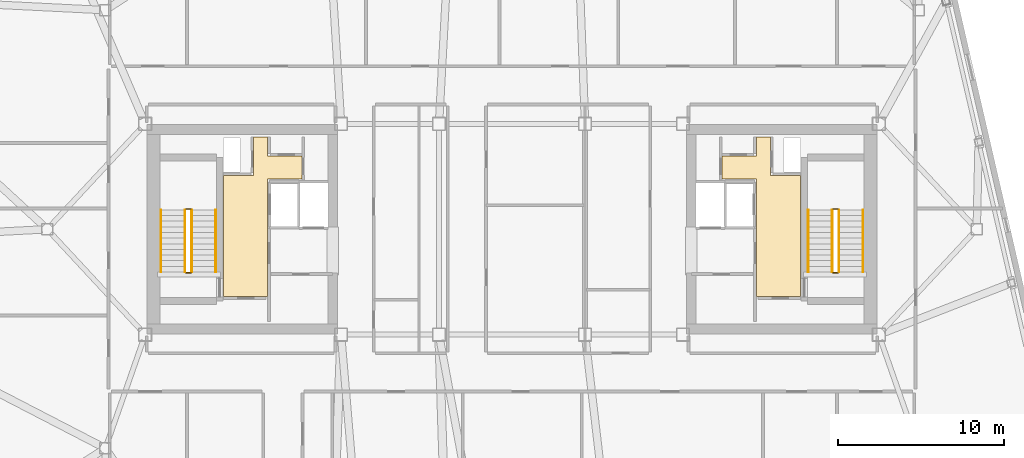
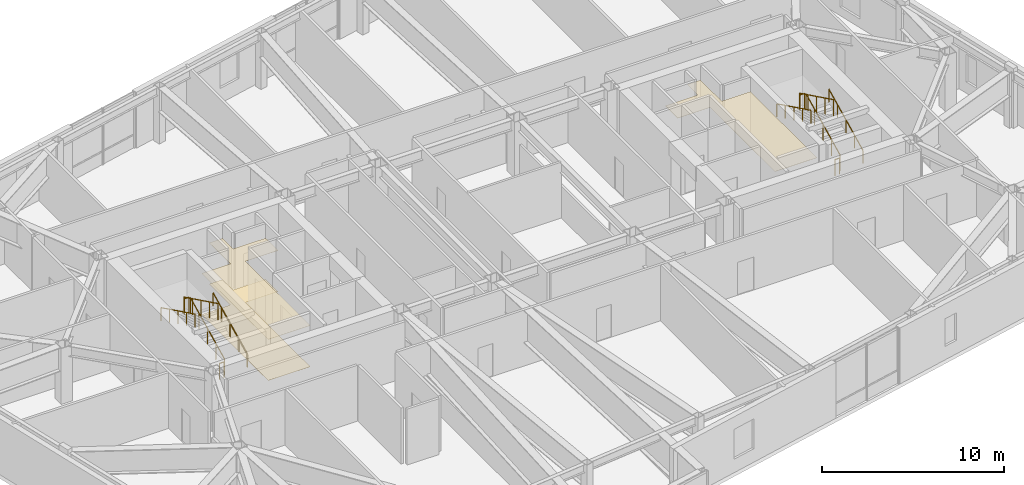
# One storey, part 23 of 23: 12 railings, 3 coverings.
"""IFC4 building model written with IfcOpenShell, lengths in metres."""

from ifc_helpers import new_model, si_unit, direction, frame, origin, origin_2d, place, context, subcontext, project, spatial, polyline, rectangle, outline, extrude, material, layer, layer_set, type_object, element, save


model = new_model("IFC4")

# Units and contexts
model_context = context("Model", 3, precision=1e-05, world=origin(), true_north=direction((0.0, 1.0)))
body_context = subcontext(model_context, "Body", "Model", "MODEL_VIEW")
ifc_project = project(units=[si_unit("LENGTHUNIT", "METRE"), si_unit("AREAUNIT", "SQUARE_METRE"), si_unit("VOLUMEUNIT", "CUBIC_METRE"), si_unit("PLANEANGLEUNIT", "RADIAN"), si_unit("MASSUNIT", "GRAM", prefix="KILO")], contexts=[model_context])

# Site, building, storey
site_placement = place(None, origin())
site = spatial("IfcSite", under=ifc_project, at=site_placement, CompositionType="ELEMENT")
building_placement = place(site_placement, origin())
building = spatial("IfcBuilding", under=site, at=building_placement, Name="Tavrogorsk Clinical Tower", CompositionType="ELEMENT")
storey_placement = place(building_placement, frame((0.0, 0.0, 277.0)))
storey = spatial("IfcBuildingStorey", under=building, at=storey_placement, Name="L64", CompositionType="ELEMENT", Elevation=277.0)

# Coverings
ifc_material_1 = material(Name="Antibacterial micro-perforated aluminium ceiling", Category="aluminium")
ifc_layer_1 = layer(ifc_material_1, 0.014892578125)
ifc_layer_set_1 = layer_set([ifc_layer_1], Name="Antibacterial micro-perforated aluminium ceiling")
covering_type_1 = type_object("IfcCoveringType", Name="ClinicalCeiling_15", PredefinedType="CEILING", material=ifc_layer_set_1)
covering_1_placement = place(storey_placement, frame((0.0, 0.0, 2.75)))
element("IfcCovering", 1, at=covering_1_placement, inside=storey, type_object=covering_type_1, Name="Core West Firefighting Lift Lobby Acoustic Ceiling", PredefinedType="CEILING", context=body_context, shape_type="SweptSolid", body=[
    extrude(outline(polyline([(-17.3798828125, -4.06005859375), (-17.3798828125, 3.239990234375), (-15.56005859375, 3.239990234375), (-15.56005859375, 5.56005859375), (-14.719970703125, 5.56005859375), (-14.719970703125, 4.39990234375), (-12.659912109375, 4.39990234375), (-12.659912109375, 3.0400390625), (-14.719970703125, 3.0400390625), (-14.719970703125, -4.06005859375), (-17.3798828125, -4.06005859375)])), origin(), (0.0, 0.0, 1.0), 0.014892578125),
])
covering_2_placement = place(storey_placement, frame((0.0, 0.0, 2.75)))
element("IfcCovering", 2, at=covering_2_placement, inside=storey, type_object=covering_type_1, Name="Core East Firefighting Lift Lobby Acoustic Ceiling", PredefinedType="CEILING", context=body_context, shape_type="SweptSolid", body=[
    extrude(outline(polyline([(14.719970703125, 3.0400390625), (12.659912109375, 3.0400390625), (12.659912109375, 4.39990234375), (14.719970703125, 4.39990234375), (14.719970703125, 5.56005859375), (15.56005859375, 5.56005859375), (15.56005859375, 3.239990234375), (17.3798828125, 3.239990234375), (17.3798828125, -4.06005859375), (14.719970703125, -4.06005859375), (14.719970703125, 3.0400390625)])), origin(), (0.0, 0.0, 1.0), 0.014892578125),
])
ifc_material_2 = material(Name="Homogeneous medical conductive PVC flooring")
ifc_layer_2 = layer(ifc_material_2, 0.008056640625)
ifc_layer_set_2 = layer_set([ifc_layer_2], Name="Homogeneous medical conductive PVC flooring")
covering_type_2 = type_object("IfcCoveringType", Name="ResilientVinylFloor_8", PredefinedType="FLOORING", material=ifc_layer_set_2)
covering_3_placement = place(storey_placement, origin())
element("IfcCovering", 3, at=covering_3_placement, inside=storey, type_object=covering_type_2, Name="Core West Firefighting Lift Lobby Conductive Vinyl Flooring", PredefinedType="FLOORING", context=body_context, shape_type="SweptSolid", body=[
    extrude(outline(polyline([(-17.3798828125, -4.06005859375), (-17.3798828125, 3.239990234375), (-15.56005859375, 3.239990234375), (-15.56005859375, 5.56005859375), (-14.719970703125, 5.56005859375), (-14.719970703125, 4.39990234375), (-12.659912109375, 4.39990234375), (-12.659912109375, 3.0400390625), (-14.719970703125, 3.0400390625), (-14.719970703125, -4.06005859375), (-17.3798828125, -4.06005859375)])), origin(), (0.0, 0.0, 1.0), 0.008056640625),
])

# Railings
ifc_material_3 = material(Name="Galvanised steel S355 safety stairwell guard", Category="steel")
ifc_layer_3 = layer(ifc_material_3, 0.06005859375)
ifc_layer_set_3 = layer_set([ifc_layer_3], Name="Galvanised steel S355 safety stairwell guard")
railing_type_1 = type_object("IfcRailingType", Name="StairGuard_1150", PredefinedType="GUARDRAIL", material=ifc_layer_set_3)
railing_1_placement = place(storey_placement, frame((-19.300048828125, -2.574951171875, 0.166748046875)))
element("IfcRailing", 4, at=railing_1_placement, inside=storey, type_object=railing_type_1, Name="L64 ST-W stair guard 1", PredefinedType="GUARDRAIL", context=body_context, shape_type="SweptSolid", body=[
    extrude(rectangle(XDim=0.048095703125, YDim=0.048095703125, at=origin_2d()), frame((0.0, 0.0, 1.076171875), z_axis=(0.0, 0.897927990467, 0.440142390523), x_axis=(-1.0, 0.0, 0.0)), (0.0, 0.0, 1.0), 4.1650390625),
    extrude(rectangle(XDim=0.0419921875, YDim=0.0419921875, at=origin_2d()), origin(), (0.0, 0.0, 1.0), 1.052001953125),
    extrude(rectangle(XDim=0.0419921875, YDim=0.0419921875, at=origin_2d()), frame((0.0, 0.93505859375, 0.458251953125)), (0.0, 0.0, 1.0), 1.052001953125),
    extrude(rectangle(XDim=0.0419921875, YDim=0.0419921875, at=origin_2d()), frame((0.0, 1.8701171875, 0.91650390625)), (0.0, 0.0, 1.0), 1.052001953125),
    extrude(rectangle(XDim=0.0419921875, YDim=0.0419921875, at=origin_2d()), frame((0.0, 2.804931640625, 1.375)), (0.0, 0.0, 1.0), 1.052001953125),
    extrude(rectangle(XDim=0.0419921875, YDim=0.0419921875, at=origin_2d()), frame((0.0, 3.739990234375, 1.833251953125)), (0.0, 0.0, 1.0), 1.052001953125),
])
railing_2_placement = place(storey_placement, frame((-19.35009765625, 1.215087890625, 2.0)))
element("IfcRailing", 5, at=railing_2_placement, inside=storey, type_object=railing_type_1, Name="L64 ST-W stair guard 2", PredefinedType="GUARDRAIL", context=body_context, shape_type="SweptSolid", body=[
    extrude(rectangle(XDim=0.048095703125, YDim=0.048095703125, at=origin_2d()), frame((0.0, 0.0, 1.076171875), z_axis=(-1.0, 0.0, 0.0), x_axis=(0.0, -1.0, 0.0)), (0.0, 0.0, 1.0), 0.2998046875),
    extrude(rectangle(XDim=0.0419921875, YDim=0.0419921875, at=origin_2d()), origin(), (0.0, 0.0, 1.0), 1.052001953125),
    extrude(rectangle(XDim=0.0419921875, YDim=0.0419921875, at=origin_2d()), frame((-0.2998046875, 0.0, 0.0)), (0.0, 0.0, 1.0), 1.052001953125),
])
railing_3_placement = place(storey_placement, frame((-19.699951171875, 1.1650390625, 2.166748046875)))
element("IfcRailing", 6, at=railing_3_placement, inside=storey, type_object=railing_type_1, Name="L64 ST-W stair guard 3", PredefinedType="GUARDRAIL", context=body_context, shape_type="SweptSolid", body=[
    extrude(rectangle(XDim=0.048095703125, YDim=0.048095703125, at=origin_2d()), frame((0.0, 0.0, 1.076171875), z_axis=(0.0, -0.897927990467, 0.440142390523), x_axis=(1.0, 0.0, 0.0)), (0.0, 0.0, 1.0), 4.1650390625),
    extrude(rectangle(XDim=0.0419921875, YDim=0.0419921875, at=origin_2d()), origin(), (0.0, 0.0, 1.0), 1.052001953125),
    extrude(rectangle(XDim=0.0419921875, YDim=0.0419921875, at=origin_2d()), frame((0.0, -0.93505859375, 0.458251953125)), (0.0, 0.0, 1.0), 1.052001953125),
    extrude(rectangle(XDim=0.0419921875, YDim=0.0419921875, at=origin_2d()), frame((0.0, -1.8701171875, 0.91650390625)), (0.0, 0.0, 1.0), 1.052001953125),
    extrude(rectangle(XDim=0.0419921875, YDim=0.0419921875, at=origin_2d()), frame((0.0, -2.804931640625, 1.375)), (0.0, 0.0, 1.0), 1.052001953125),
    extrude(rectangle(XDim=0.0419921875, YDim=0.0419921875, at=origin_2d()), frame((0.0, -3.739990234375, 1.833251953125)), (0.0, 0.0, 1.0), 1.052001953125),
])
railing_4_placement = place(storey_placement, frame((-19.35009765625, -2.625, 0.0)))
element("IfcRailing", 7, at=railing_4_placement, inside=storey, type_object=railing_type_1, Name="L64 ST-W stair guard 4", PredefinedType="GUARDRAIL", context=body_context, shape_type="SweptSolid", body=[
    extrude(rectangle(XDim=0.048095703125, YDim=0.048095703125, at=origin_2d()), frame((0.0, 0.0, 1.076171875), z_axis=(-1.0, 0.0, 0.0), x_axis=(0.0, -1.0, 0.0)), (0.0, 0.0, 1.0), 0.2998046875),
    extrude(rectangle(XDim=0.0419921875, YDim=0.0419921875, at=origin_2d()), origin(), (0.0, 0.0, 1.0), 1.052001953125),
    extrude(rectangle(XDim=0.0419921875, YDim=0.0419921875, at=origin_2d()), frame((-0.2998046875, 0.0, 0.0)), (0.0, 0.0, 1.0), 1.052001953125),
])
railing_5_placement = place(storey_placement, frame((19.699951171875, -2.574951171875, 0.166748046875)))
element("IfcRailing", 8, at=railing_5_placement, inside=storey, type_object=railing_type_1, Name="L64 ST-E stair guard 1", PredefinedType="GUARDRAIL", context=body_context, shape_type="SweptSolid", body=[
    extrude(rectangle(XDim=0.048095703125, YDim=0.048095703125, at=origin_2d()), frame((0.0, 0.0, 1.076171875), z_axis=(0.0, 0.897927990467, 0.440142390523), x_axis=(-1.0, 0.0, 0.0)), (0.0, 0.0, 1.0), 4.1650390625),
    extrude(rectangle(XDim=0.0419921875, YDim=0.0419921875, at=origin_2d()), origin(), (0.0, 0.0, 1.0), 1.052001953125),
    extrude(rectangle(XDim=0.0419921875, YDim=0.0419921875, at=origin_2d()), frame((0.0, 0.93505859375, 0.458251953125)), (0.0, 0.0, 1.0), 1.052001953125),
    extrude(rectangle(XDim=0.0419921875, YDim=0.0419921875, at=origin_2d()), frame((0.0, 1.8701171875, 0.91650390625)), (0.0, 0.0, 1.0), 1.052001953125),
    extrude(rectangle(XDim=0.0419921875, YDim=0.0419921875, at=origin_2d()), frame((0.0, 2.804931640625, 1.375)), (0.0, 0.0, 1.0), 1.052001953125),
    extrude(rectangle(XDim=0.0419921875, YDim=0.0419921875, at=origin_2d()), frame((0.0, 3.739990234375, 1.833251953125)), (0.0, 0.0, 1.0), 1.052001953125),
])
railing_6_placement = place(storey_placement, frame((19.64990234375, 1.215087890625, 2.0)))
element("IfcRailing", 9, at=railing_6_placement, inside=storey, type_object=railing_type_1, Name="L64 ST-E stair guard 2", PredefinedType="GUARDRAIL", context=body_context, shape_type="SweptSolid", body=[
    extrude(rectangle(XDim=0.048095703125, YDim=0.048095703125, at=origin_2d()), frame((0.0, 0.0, 1.076171875), z_axis=(-1.0, 0.0, 0.0), x_axis=(0.0, -1.0, 0.0)), (0.0, 0.0, 1.0), 0.2998046875),
    extrude(rectangle(XDim=0.0419921875, YDim=0.0419921875, at=origin_2d()), origin(), (0.0, 0.0, 1.0), 1.052001953125),
    extrude(rectangle(XDim=0.0419921875, YDim=0.0419921875, at=origin_2d()), frame((-0.2998046875, 0.0, 0.0)), (0.0, 0.0, 1.0), 1.052001953125),
])
railing_7_placement = place(storey_placement, frame((19.300048828125, 1.1650390625, 2.166748046875)))
element("IfcRailing", 10, at=railing_7_placement, inside=storey, type_object=railing_type_1, Name="L64 ST-E stair guard 3", PredefinedType="GUARDRAIL", context=body_context, shape_type="SweptSolid", body=[
    extrude(rectangle(XDim=0.048095703125, YDim=0.048095703125, at=origin_2d()), frame((0.0, 0.0, 1.076171875), z_axis=(0.0, -0.897927990467, 0.440142390523), x_axis=(1.0, 0.0, 0.0)), (0.0, 0.0, 1.0), 4.1650390625),
    extrude(rectangle(XDim=0.0419921875, YDim=0.0419921875, at=origin_2d()), origin(), (0.0, 0.0, 1.0), 1.052001953125),
    extrude(rectangle(XDim=0.0419921875, YDim=0.0419921875, at=origin_2d()), frame((0.0, -0.93505859375, 0.458251953125)), (0.0, 0.0, 1.0), 1.052001953125),
    extrude(rectangle(XDim=0.0419921875, YDim=0.0419921875, at=origin_2d()), frame((0.0, -1.8701171875, 0.91650390625)), (0.0, 0.0, 1.0), 1.052001953125),
    extrude(rectangle(XDim=0.0419921875, YDim=0.0419921875, at=origin_2d()), frame((0.0, -2.804931640625, 1.375)), (0.0, 0.0, 1.0), 1.052001953125),
    extrude(rectangle(XDim=0.0419921875, YDim=0.0419921875, at=origin_2d()), frame((0.0, -3.739990234375, 1.833251953125)), (0.0, 0.0, 1.0), 1.052001953125),
])
railing_8_placement = place(storey_placement, frame((19.64990234375, -2.625, 0.0)))
element("IfcRailing", 11, at=railing_8_placement, inside=storey, type_object=railing_type_1, Name="L64 ST-E stair guard 4", PredefinedType="GUARDRAIL", context=body_context, shape_type="SweptSolid", body=[
    extrude(rectangle(XDim=0.048095703125, YDim=0.048095703125, at=origin_2d()), frame((0.0, 0.0, 1.076171875), z_axis=(-1.0, 0.0, 0.0), x_axis=(0.0, -1.0, 0.0)), (0.0, 0.0, 1.0), 0.2998046875),
    extrude(rectangle(XDim=0.0419921875, YDim=0.0419921875, at=origin_2d()), origin(), (0.0, 0.0, 1.0), 1.052001953125),
    extrude(rectangle(XDim=0.0419921875, YDim=0.0419921875, at=origin_2d()), frame((-0.2998046875, 0.0, 0.0)), (0.0, 0.0, 1.0), 1.052001953125),
])
ifc_material_4 = material(Name="Stainless steel AISI 304 tubular handrail", Category="steel")
ifc_layer_4 = layer(ifc_material_4, 0.050048828125)
ifc_layer_set_4 = layer_set([ifc_layer_4], Name="Stainless steel AISI 304 tubular handrail")
railing_type_2 = type_object("IfcRailingType", Name="StairHandrail_920", PredefinedType="HANDRAIL", material=ifc_layer_set_4)
railing_9_placement = place(storey_placement, frame((-17.85009765625, -2.574951171875, 0.166748046875)))
element("IfcRailing", 12, at=railing_9_placement, inside=storey, type_object=railing_type_2, Name="L64 ST-W stair handrail 1", PredefinedType="HANDRAIL", context=body_context, shape_type="SweptSolid", body=[
    extrude(rectangle(XDim=0.048095703125, YDim=0.048095703125, at=origin_2d()), frame((0.0, 0.0, 0.8759765625), z_axis=(0.0, 0.897927990467, 0.440142390523), x_axis=(-1.0, 0.0, 0.0)), (0.0, 0.0, 1.0), 4.1650390625),
    extrude(rectangle(XDim=0.0419921875, YDim=0.0419921875, at=origin_2d()), origin(), (0.0, 0.0, 1.0), 0.851806640625),
    extrude(rectangle(XDim=0.0419921875, YDim=0.0419921875, at=origin_2d()), frame((0.0, 0.93505859375, 0.458251953125)), (0.0, 0.0, 1.0), 0.851806640625),
    extrude(rectangle(XDim=0.0419921875, YDim=0.0419921875, at=origin_2d()), frame((0.0, 1.8701171875, 0.91650390625)), (0.0, 0.0, 1.0), 0.851806640625),
    extrude(rectangle(XDim=0.0419921875, YDim=0.0419921875, at=origin_2d()), frame((0.0, 2.804931640625, 1.375)), (0.0, 0.0, 1.0), 0.851806640625),
    extrude(rectangle(XDim=0.0419921875, YDim=0.0419921875, at=origin_2d()), frame((0.0, 3.739990234375, 1.833251953125)), (0.0, 0.0, 1.0), 0.851806640625),
])
railing_10_placement = place(storey_placement, frame((-21.14990234375, 1.1650390625, 2.166748046875)))
element("IfcRailing", 13, at=railing_10_placement, inside=storey, type_object=railing_type_2, Name="L64 ST-W stair handrail 2", PredefinedType="HANDRAIL", context=body_context, shape_type="SweptSolid", body=[
    extrude(rectangle(XDim=0.048095703125, YDim=0.048095703125, at=origin_2d()), frame((0.0, 0.0, 0.8759765625), z_axis=(0.0, -0.897927990467, 0.440142390523), x_axis=(1.0, 0.0, 0.0)), (0.0, 0.0, 1.0), 4.1650390625),
    extrude(rectangle(XDim=0.0419921875, YDim=0.0419921875, at=origin_2d()), origin(), (0.0, 0.0, 1.0), 0.851806640625),
    extrude(rectangle(XDim=0.0419921875, YDim=0.0419921875, at=origin_2d()), frame((0.0, -0.93505859375, 0.458251953125)), (0.0, 0.0, 1.0), 0.851806640625),
    extrude(rectangle(XDim=0.0419921875, YDim=0.0419921875, at=origin_2d()), frame((0.0, -1.8701171875, 0.91650390625)), (0.0, 0.0, 1.0), 0.851806640625),
    extrude(rectangle(XDim=0.0419921875, YDim=0.0419921875, at=origin_2d()), frame((0.0, -2.804931640625, 1.375)), (0.0, 0.0, 1.0), 0.851806640625),
    extrude(rectangle(XDim=0.0419921875, YDim=0.0419921875, at=origin_2d()), frame((0.0, -3.739990234375, 1.833251953125)), (0.0, 0.0, 1.0), 0.851806640625),
])
railing_11_placement = place(storey_placement, frame((21.14990234375, -2.574951171875, 0.166748046875)))
element("IfcRailing", 14, at=railing_11_placement, inside=storey, type_object=railing_type_2, Name="L64 ST-E stair handrail 1", PredefinedType="HANDRAIL", context=body_context, shape_type="SweptSolid", body=[
    extrude(rectangle(XDim=0.048095703125, YDim=0.048095703125, at=origin_2d()), frame((0.0, 0.0, 0.8759765625), z_axis=(0.0, 0.897927990467, 0.440142390523), x_axis=(-1.0, 0.0, 0.0)), (0.0, 0.0, 1.0), 4.1650390625),
    extrude(rectangle(XDim=0.0419921875, YDim=0.0419921875, at=origin_2d()), origin(), (0.0, 0.0, 1.0), 0.851806640625),
    extrude(rectangle(XDim=0.0419921875, YDim=0.0419921875, at=origin_2d()), frame((0.0, 0.93505859375, 0.458251953125)), (0.0, 0.0, 1.0), 0.851806640625),
    extrude(rectangle(XDim=0.0419921875, YDim=0.0419921875, at=origin_2d()), frame((0.0, 1.8701171875, 0.91650390625)), (0.0, 0.0, 1.0), 0.851806640625),
    extrude(rectangle(XDim=0.0419921875, YDim=0.0419921875, at=origin_2d()), frame((0.0, 2.804931640625, 1.375)), (0.0, 0.0, 1.0), 0.851806640625),
    extrude(rectangle(XDim=0.0419921875, YDim=0.0419921875, at=origin_2d()), frame((0.0, 3.739990234375, 1.833251953125)), (0.0, 0.0, 1.0), 0.851806640625),
])
railing_12_placement = place(storey_placement, frame((17.85009765625, 1.1650390625, 2.166748046875)))
element("IfcRailing", 15, at=railing_12_placement, inside=storey, type_object=railing_type_2, Name="L64 ST-E stair handrail 2", PredefinedType="HANDRAIL", context=body_context, shape_type="SweptSolid", body=[
    extrude(rectangle(XDim=0.048095703125, YDim=0.048095703125, at=origin_2d()), frame((0.0, 0.0, 0.8759765625), z_axis=(0.0, -0.897927990467, 0.440142390523), x_axis=(1.0, 0.0, 0.0)), (0.0, 0.0, 1.0), 4.1650390625),
    extrude(rectangle(XDim=0.0419921875, YDim=0.0419921875, at=origin_2d()), origin(), (0.0, 0.0, 1.0), 0.851806640625),
    extrude(rectangle(XDim=0.0419921875, YDim=0.0419921875, at=origin_2d()), frame((0.0, -0.93505859375, 0.458251953125)), (0.0, 0.0, 1.0), 0.851806640625),
    extrude(rectangle(XDim=0.0419921875, YDim=0.0419921875, at=origin_2d()), frame((0.0, -1.8701171875, 0.91650390625)), (0.0, 0.0, 1.0), 0.851806640625),
    extrude(rectangle(XDim=0.0419921875, YDim=0.0419921875, at=origin_2d()), frame((0.0, -2.804931640625, 1.375)), (0.0, 0.0, 1.0), 0.851806640625),
    extrude(rectangle(XDim=0.0419921875, YDim=0.0419921875, at=origin_2d()), frame((0.0, -3.739990234375, 1.833251953125)), (0.0, 0.0, 1.0), 0.851806640625),
])

save(model, "model.ifc")
